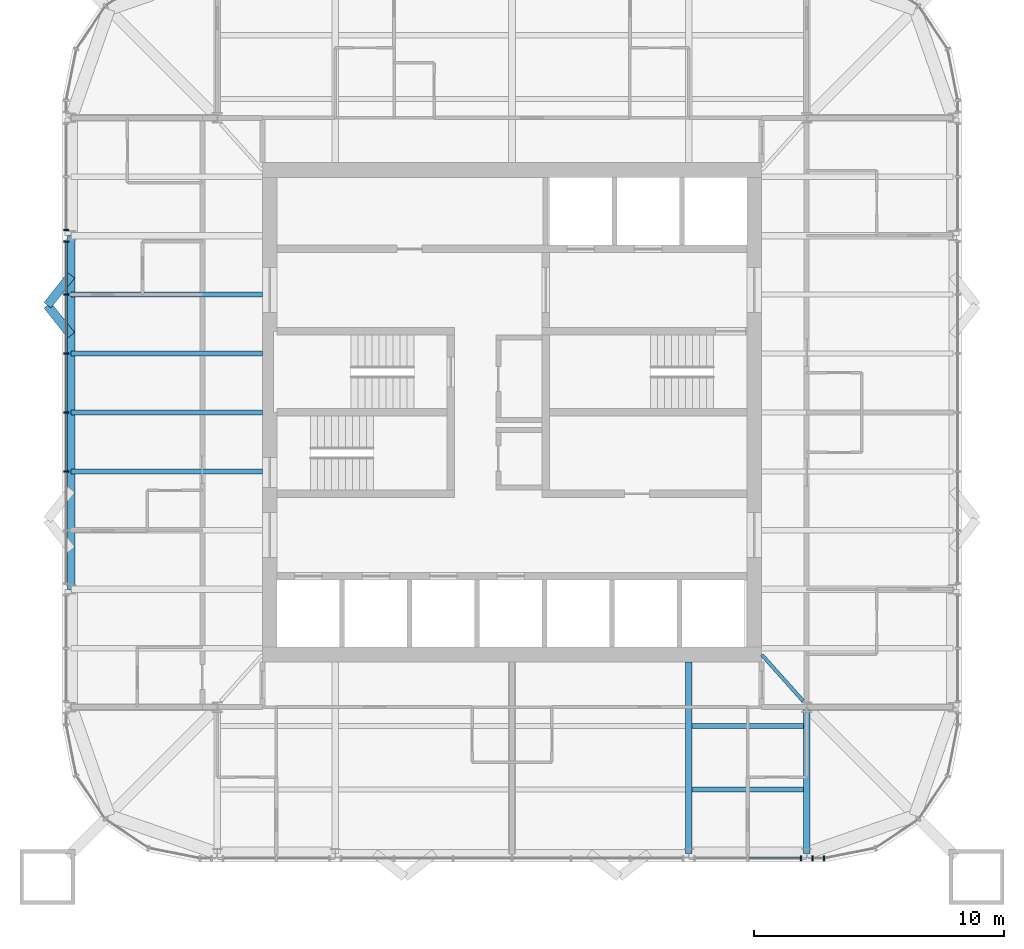
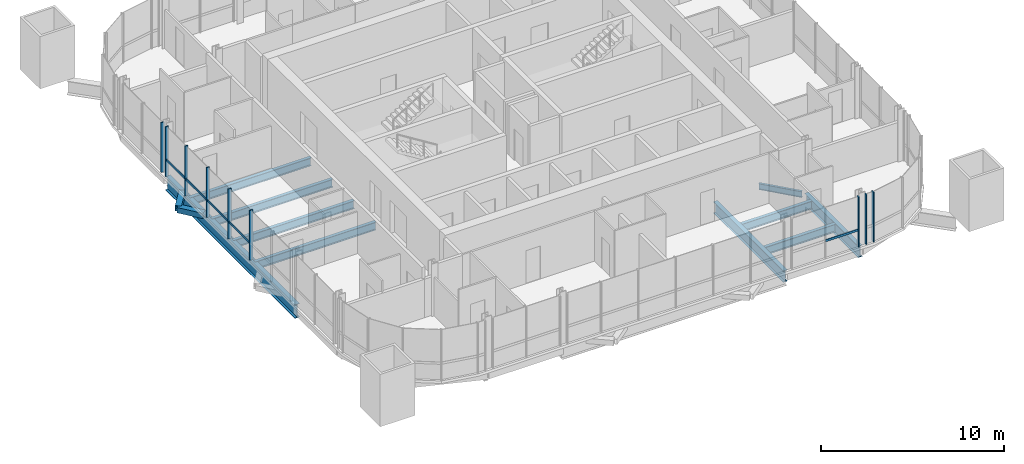
# One storey, part 3 of 17: 14 members, 12 beams, 4 elements without a shape of their own.
"""IFC4 building model written with IfcOpenShell, lengths in metres."""

from ifc_helpers import new_model, si_unit, direction, frame, origin, origin_2d, place, context, subcontext, project, spatial, rectangle, hollow_rectangle, i_section, extrude, material, material_profile, profile_set, type_object, element, aggregate, save


model = new_model("IFC4")

# Units and contexts
model_context = context("Model", 3, precision=1e-05, world=origin(), true_north=direction((0.0, 1.0)))
body_context = subcontext(model_context, "Body", "Model", "MODEL_VIEW")
ifc_project = project(units=[si_unit("LENGTHUNIT", "METRE"), si_unit("AREAUNIT", "SQUARE_METRE"), si_unit("VOLUMEUNIT", "CUBIC_METRE"), si_unit("PLANEANGLEUNIT", "RADIAN"), si_unit("MASSUNIT", "GRAM", prefix="KILO")], contexts=[model_context])

# Site, building, storey
site_placement = place(None, origin())
site = spatial("IfcSite", under=ifc_project, at=site_placement, CompositionType="ELEMENT")
building_placement = place(site_placement, origin())
building = spatial("IfcBuilding", under=site, at=building_placement, Name="Turquesa Mirador Hotel Tower", CompositionType="ELEMENT")
storey_placement = place(building_placement, frame((0.0, 0.0, 244.199951171875)))
storey = spatial("IfcBuildingStorey", under=building, at=storey_placement, Name="L66", CompositionType="ELEMENT", Elevation=244.199951171875)

# Beams
ifc_material_1 = material(Name="Steel ASTM A992 Grade 50", Category="steel")
ifc_material_profile_1 = material_profile(ifc_material_1, i_section(OverallWidth=0.140380859375, OverallDepth=0.40380859375, WebThickness=0.007080078125, FlangeThickness=0.01123046875, at=origin_2d()), Name="W16X31")
ifc_profile_set_1 = profile_set([ifc_material_profile_1], Name="Steel ASTM A992 Grade 50")
beam_type_1 = type_object("IfcBeamType", Name="BEAM W16X31", PredefinedType="BEAM", material=ifc_profile_set_1)
beam_1_placement = place(storey_placement, frame((66.656494140625, 33.44873046875, -0.371826171875), z_axis=(-0.666806350186, 0.745231032198, 0.0), x_axis=(-0.745231032198, -0.666806350186, 0.0)))
element("IfcBeam", 1, at=beam_1_placement, inside=storey, type_object=beam_type_1, Name="KT-L66-4", PredefinedType="BEAM", context=body_context, shape_type="SweptSolid", body=[
    extrude(i_section(OverallWidth=0.140380859375, OverallDepth=0.40380859375, WebThickness=0.007080078125, FlangeThickness=0.01123046875, at=origin_2d()), origin(), (0.0, 0.0, 1.0), 2.484130859375),
])
ifc_material_2 = material(Name="Steel ASTM A992 Grade 50", Category="steel")
ifc_material_profile_2 = material_profile(ifc_material_2, i_section(OverallWidth=0.209228515625, OverallDepth=0.533447265625, WebThickness=0.01025390625, FlangeThickness=0.015625, at=origin_2d()), Name="W21X62")
ifc_profile_set_2 = profile_set([ifc_material_profile_2], Name="Steel ASTM A992 Grade 50")
beam_type_2 = type_object("IfcBeamType", Name="BEAM W21X62", PredefinedType="BEAM", material=ifc_profile_set_2)
for number, where, z_axis, x_axis, name in (
    (2, (62.21337890625, 32.449951171875, -0.436767578125), (1.0, 0.0, 0.0), (0.0, 1.0, 0.0), "IB-L66-S-1-3"),
    (3, (62.21337890625, 29.89990234375, -0.436767578125), (1.0, 0.0, 0.0), (0.0, 1.0, 0.0), "IB-L66-S-2-3"),
):
    element("IfcBeam", number, at=place(storey_placement, frame(where, z_axis=z_axis, x_axis=x_axis)), inside=storey, type_object=beam_type_2, Name=name, PredefinedType="BEAM", context=body_context, shape_type="SweptSolid", body=[
        extrude(i_section(OverallWidth=0.209228515625, OverallDepth=0.533447265625, WebThickness=0.01025390625, FlangeThickness=0.015625, at=origin_2d()), origin(), (0.0, 0.0, 1.0), 4.453369140625),
    ])
for number, where, z_axis, x_axis, name in (
    (4, (37.35009765625, 42.639892578125, -0.436767578125), (1.0, 0.0, 0.0), (0.0, 1.0, 0.0), "BM-L66-W--2.36"),
    (5, (37.35009765625, 45.0, -0.436767578125), (1.0, 0.0, 0.0), (0.0, 1.0, 0.0), "BM-L66-W-+0.00"),
    (6, (37.35009765625, 47.360107421875, -0.436767578125), (1.0, 0.0, 0.0), (0.0, 1.0, 0.0), "BM-L66-W-+2.36"),
    (7, (37.35009765625, 49.719970703125, -0.436767578125), (1.0, 0.0, 0.0), (0.0, 1.0, 0.0), "BM-L66-W-+4.72"),
):
    element("IfcBeam", number, at=place(storey_placement, frame(where, z_axis=z_axis, x_axis=x_axis)), inside=storey, type_object=beam_type_2, Name=name, PredefinedType="BEAM", context=body_context, shape_type="SweptSolid", body=[
        extrude(i_section(OverallWidth=0.209228515625, OverallDepth=0.533447265625, WebThickness=0.01025390625, FlangeThickness=0.015625, at=origin_2d()), origin(), (0.0, 0.0, 1.0), 7.64990234375),
    ])
ifc_material_3 = material(Name="Steel ASTM A992 Grade 50", Category="steel")
ifc_material_profile_3 = material_profile(ifc_material_3, i_section(OverallWidth=0.2666015625, OverallDepth=0.7568359375, WebThickness=0.013916015625, FlangeThickness=0.019287109375, at=origin_2d()), Name="W30X108")
ifc_profile_set_3 = profile_set([ifc_material_profile_3], Name="Steel ASTM A992 Grade 50")
beam_type_3 = type_object("IfcBeamType", Name="BEAM W30X108", PredefinedType="BEAM", material=ifc_profile_set_3)
beam_2_placement = place(storey_placement, frame((62.080078125, 27.35009765625, -0.54833984375), z_axis=(0.0, 1.0, 0.0), x_axis=(-1.0, 0.0, 0.0)))
element("IfcBeam", 8, at=beam_2_placement, inside=storey, type_object=beam_type_3, Name="GD-L66-S-+7.08", PredefinedType="BEAM", context=body_context, shape_type="SweptSolid", body=[
    extrude(i_section(OverallWidth=0.2666015625, OverallDepth=0.7568359375, WebThickness=0.013916015625, FlangeThickness=0.019287109375, at=origin_2d()), origin(), (0.0, 0.0, 1.0), 7.64990234375),
])
beam_3_placement = place(storey_placement, frame((66.800048828125, 27.35009765625, -0.54833984375), z_axis=(0.0, 1.0, 0.0), x_axis=(-1.0, 0.0, 0.0)))
element("IfcBeam", 9, at=beam_3_placement, inside=storey, type_object=beam_type_3, Name="GK-L66-S-+11.80", PredefinedType="BEAM", context=body_context, shape_type="SweptSolid", body=[
    extrude(i_section(OverallWidth=0.2666015625, OverallDepth=0.7568359375, WebThickness=0.013916015625, FlangeThickness=0.019287109375, at=origin_2d()), origin(), (0.0, 0.0, 1.0), 5.849853515625),
])
ifc_material_4 = material(Name="Steel ASTM A992 Grade 50", Category="steel")
ifc_material_profile_4 = material_profile(ifc_material_4, i_section(OverallWidth=0.3046875, OverallDepth=0.911865234375, WebThickness=0.015869140625, FlangeThickness=0.02392578125, at=origin_2d()), Name="W36X150")
ifc_profile_set_4 = profile_set([ifc_material_profile_4], Name="Steel ASTM A992 Grade 50")
beam_type_4 = type_object("IfcBeamType", Name="BEAM W36X150", PredefinedType="BEAM", material=ifc_profile_set_4)
beam_4_placement = place(storey_placement, frame((37.35009765625, 37.919921875, -0.6259765625), z_axis=(0.0, 1.0, 0.0), x_axis=(-1.0, 0.0, 0.0)))
element("IfcBeam", 10, at=beam_4_placement, inside=storey, type_object=beam_type_4, Name="EB-L66-W-C", PredefinedType="BEAM", context=body_context, shape_type="SweptSolid", body=[
    extrude(i_section(OverallWidth=0.3046875, OverallDepth=0.911865234375, WebThickness=0.015869140625, FlangeThickness=0.02392578125, at=origin_2d()), origin(), (0.0, 0.0, 1.0), 14.16015625),
])
ifc_material_5 = material(Name="Steel ASTM A500 Grade C", Category="steel")
ifc_material_profile_5 = material_profile(ifc_material_5, hollow_rectangle(XDim=0.355712890625, YDim=0.355712890625, WallThickness=0.0146484375, at=origin_2d()), Name="HSS14X14X5/8")
ifc_profile_set_5 = profile_set([ifc_material_profile_5], Name="Steel ASTM A500 Grade C")
beam_type_5 = type_object("IfcBeamType", Name="BRACE STRUT HSS14X14X5/8", PredefinedType="BEAM", material=ifc_profile_set_5)
for number, where, z_axis, x_axis, name in (
    (11, (36.39990234375, 49.292236328125, -0.34765625), (0.620796907089, -0.783971428146, 0.0), (0.783971428146, 0.620796907089, 0.0), "Brace strut"),
    (12, (36.39990234375, 49.292236328125, -0.34765625), (0.620796907089, 0.783971428146, 0.0), (-0.783971428146, 0.620796907089, 0.0), "Brace strut"),
):
    element("IfcBeam", number, at=place(storey_placement, frame(where, z_axis=z_axis, x_axis=x_axis)), inside=storey, type_object=beam_type_5, Name=name, PredefinedType="BEAM", context=body_context, shape_type="SweptSolid", body=[
        extrude(hollow_rectangle(XDim=0.355712890625, YDim=0.355712890625, WallThickness=0.0146484375, at=origin_2d()), origin(), (0.0, 0.0, 1.0), 1.530517578125),
    ])

# Curtain wall, member
ifc_material_6 = material(Name="Aluminium extrusion", Category="aluminium")
curtain_wall_type = type_object("IfcCurtainWallType", Name="CW-4 SUITE FRITTED CURTAIN WALL", PredefinedType="USERDEFINED", material=ifc_material_6)
curtain_wall_1_placement = place(storey_placement, origin())
curtain_wall_1 = element("IfcCurtainWall", 13, at=curtain_wall_1_placement, inside=storey, type_object=curtain_wall_type, Name="CW-4 SUITE FRITTED CURTAIN WALL L66", ObjectType="CURTAIN WALL", PredefinedType="USERDEFINED")
ifc_material_7 = material(Name="Aluminium extrusion", Category="aluminium")
ifc_material_profile_6 = material_profile(ifc_material_7, rectangle(XDim=0.06494140625, YDim=0.199951171875, at=origin_2d()), Name="MULLION 65X200")
ifc_profile_set_6 = profile_set([ifc_material_profile_6], Name="Aluminium extrusion")
member_type_1 = type_object("IfcMemberType", Name="CW MULLION 65X200", PredefinedType="MULLION", material=ifc_profile_set_6)
member_1_placement = place(storey_placement, frame((37.14990234375, 52.31396484375, 0.0), z_axis=(0.0, 0.0, 1.0), x_axis=(0.0, -1.0, 0.0)))
member_1 = element("IfcMember", 14, at=member_1_placement, type_object=member_type_1, Name="Mullion", PredefinedType="MULLION", context=body_context, shape_type="SweptSolid", body=[
    extrude(rectangle(XDim=0.06494140625, YDim=0.199951171875, at=origin_2d()), origin(), (0.0, 0.0, 1.0), 3.330078125),
])
aggregate(curtain_wall_1, [member_1])

# Curtain wall, members
curtain_wall_2_placement = place(storey_placement, origin())
curtain_wall_2 = element("IfcCurtainWall", 15, at=curtain_wall_2_placement, inside=storey, type_object=curtain_wall_type, Name="CW-4 SUITE FRITTED CURTAIN WALL L66", ObjectType="CURTAIN WALL", PredefinedType="USERDEFINED")
member_2_placement = place(storey_placement, frame((37.14990234375, 51.84619140625, 0.0), z_axis=(0.0, 0.0, 1.0), x_axis=(0.0, -1.0, 0.0)))
member_2 = element("IfcMember", 16, at=member_2_placement, type_object=member_type_1, Name="Mullion", PredefinedType="MULLION", context=body_context, shape_type="SweptSolid", body=[
    extrude(rectangle(XDim=0.06494140625, YDim=0.199951171875, at=origin_2d()), origin(), (0.0, 0.0, 1.0), 3.330078125),
])
member_3_placement = place(storey_placement, frame((37.14990234375, 49.719970703125, 0.0), z_axis=(0.0, 0.0, 1.0), x_axis=(0.0, -1.0, 0.0)))
member_3 = element("IfcMember", 17, at=member_3_placement, type_object=member_type_1, Name="Mullion", PredefinedType="MULLION", context=body_context, shape_type="SweptSolid", body=[
    extrude(rectangle(XDim=0.06494140625, YDim=0.199951171875, at=origin_2d()), origin(), (0.0, 0.0, 1.0), 3.330078125),
])
member_4_placement = place(storey_placement, frame((37.14990234375, 47.360107421875, 0.0), z_axis=(0.0, 0.0, 1.0), x_axis=(0.0, -1.0, 0.0)))
member_4 = element("IfcMember", 18, at=member_4_placement, type_object=member_type_1, Name="Mullion", PredefinedType="MULLION", context=body_context, shape_type="SweptSolid", body=[
    extrude(rectangle(XDim=0.06494140625, YDim=0.199951171875, at=origin_2d()), origin(), (0.0, 0.0, 1.0), 3.330078125),
])
member_5_placement = place(storey_placement, frame((37.14990234375, 45.0, 0.0), z_axis=(0.0, 0.0, 1.0), x_axis=(0.0, -1.0, 0.0)))
member_5 = element("IfcMember", 19, at=member_5_placement, type_object=member_type_1, Name="Mullion", PredefinedType="MULLION", context=body_context, shape_type="SweptSolid", body=[
    extrude(rectangle(XDim=0.06494140625, YDim=0.199951171875, at=origin_2d()), origin(), (0.0, 0.0, 1.0), 3.330078125),
])
member_6_placement = place(storey_placement, frame((37.14990234375, 42.639892578125, 0.0), z_axis=(0.0, 0.0, 1.0), x_axis=(0.0, -1.0, 0.0)))
member_6 = element("IfcMember", 20, at=member_6_placement, type_object=member_type_1, Name="Mullion", PredefinedType="MULLION", context=body_context, shape_type="SweptSolid", body=[
    extrude(rectangle(XDim=0.06494140625, YDim=0.199951171875, at=origin_2d()), origin(), (0.0, 0.0, 1.0), 3.330078125),
])

# Curtain wall, member
curtain_wall_3_placement = place(storey_placement, origin())
curtain_wall_3 = element("IfcCurtainWall", 21, at=curtain_wall_3_placement, inside=storey, type_object=curtain_wall_type, Name="CW-4 SUITE FRITTED CURTAIN WALL L66", ObjectType="CURTAIN WALL", PredefinedType="USERDEFINED")
member_7_placement = place(storey_placement, frame((66.566162109375, 27.14990234375, 0.0), z_axis=(0.0, 0.0, 1.0), x_axis=(1.0, 0.0, 0.0)))
member_7 = element("IfcMember", 22, at=member_7_placement, type_object=member_type_1, Name="Mullion", PredefinedType="MULLION", context=body_context, shape_type="SweptSolid", body=[
    extrude(rectangle(XDim=0.06494140625, YDim=0.199951171875, at=origin_2d()), origin(), (0.0, 0.0, 1.0), 3.330078125),
])

# Curtain wall, members
curtain_wall_4_placement = place(storey_placement, origin())
curtain_wall_4 = element("IfcCurtainWall", 23, at=curtain_wall_4_placement, inside=storey, type_object=curtain_wall_type, Name="CW-4 SUITE FRITTED CURTAIN WALL L66", ObjectType="CURTAIN WALL", PredefinedType="USERDEFINED")
member_8_placement = place(storey_placement, frame((67.033935546875, 27.14990234375, 0.0), z_axis=(0.0, 0.0, 1.0), x_axis=(1.0, 0.0, 0.0)))
member_8 = element("IfcMember", 24, at=member_8_placement, type_object=member_type_1, Name="Mullion", PredefinedType="MULLION", context=body_context, shape_type="SweptSolid", body=[
    extrude(rectangle(XDim=0.06494140625, YDim=0.199951171875, at=origin_2d()), origin(), (0.0, 0.0, 1.0), 3.330078125),
])
member_9_placement = place(storey_placement, frame((67.5, 27.14990234375, 0.0), z_axis=(0.0, 0.0, 1.0), x_axis=(1.0, 0.0, 0.0)))
member_9 = element("IfcMember", 25, at=member_9_placement, type_object=member_type_1, Name="Mullion", PredefinedType="MULLION", context=body_context, shape_type="SweptSolid", body=[
    extrude(rectangle(XDim=0.06494140625, YDim=0.199951171875, at=origin_2d()), origin(), (0.0, 0.0, 1.0), 3.330078125),
])
aggregate(curtain_wall_4, [member_8, member_9])

# Member
ifc_material_8 = material(Name="Aluminium extrusion", Category="aluminium")
ifc_material_profile_7 = material_profile(ifc_material_8, rectangle(XDim=0.06494140625, YDim=0.14990234375, at=origin_2d()), Name="TRANSOM 65X150")
ifc_profile_set_7 = profile_set([ifc_material_profile_7], Name="Aluminium extrusion")
member_type_2 = type_object("IfcMemberType", Name="CW TRANSOM 65X150", PredefinedType="USERDEFINED", material=ifc_profile_set_7)
member_10_placement = place(storey_placement, frame((37.14990234375, 51.813720703125, 1.10009765625), z_axis=(0.0, -1.0, 0.0), x_axis=(1.0, 0.0, 0.0)))
member_10 = element("IfcMember", 26, at=member_10_placement, type_object=member_type_2, Name="Transom", ObjectType="TRANSOM", PredefinedType="USERDEFINED", context=body_context, shape_type="SweptSolid", body=[
    extrude(rectangle(XDim=0.06494140625, YDim=0.14990234375, at=origin_2d()), origin(), (0.0, 0.0, 1.0), 2.061279296875),
])

member_11_placement = place(storey_placement, frame((37.14990234375, 49.6875, 1.10009765625), z_axis=(0.0, -1.0, 0.0), x_axis=(1.0, 0.0, 0.0)))
member_11 = element("IfcMember", 27, at=member_11_placement, type_object=member_type_2, Name="Transom", ObjectType="TRANSOM", PredefinedType="USERDEFINED", context=body_context, shape_type="SweptSolid", body=[
    extrude(rectangle(XDim=0.06494140625, YDim=0.14990234375, at=origin_2d()), origin(), (0.0, 0.0, 1.0), 2.294921875),
])

member_12_placement = place(storey_placement, frame((37.14990234375, 47.327392578125, 1.10009765625), z_axis=(0.0, -1.0, 0.0), x_axis=(1.0, 0.0, 0.0)))
member_12 = element("IfcMember", 28, at=member_12_placement, type_object=member_type_2, Name="Transom", ObjectType="TRANSOM", PredefinedType="USERDEFINED", context=body_context, shape_type="SweptSolid", body=[
    extrude(rectangle(XDim=0.06494140625, YDim=0.14990234375, at=origin_2d()), origin(), (0.0, 0.0, 1.0), 2.294921875),
])

member_13_placement = place(storey_placement, frame((37.14990234375, 44.967529296875, 1.10009765625), z_axis=(0.0, -1.0, 0.0), x_axis=(1.0, 0.0, 0.0)))
member_13 = element("IfcMember", 29, at=member_13_placement, type_object=member_type_2, Name="Transom", ObjectType="TRANSOM", PredefinedType="USERDEFINED", context=body_context, shape_type="SweptSolid", body=[
    extrude(rectangle(XDim=0.06494140625, YDim=0.14990234375, at=origin_2d()), origin(), (0.0, 0.0, 1.0), 2.294921875),
])

aggregate(curtain_wall_2, [member_2, member_3, member_4, member_5, member_6, member_10, member_11, member_12, member_13])

member_14_placement = place(storey_placement, frame((64.472412109375, 27.14990234375, 1.10009765625), z_axis=(1.0, 0.0, 0.0), x_axis=(0.0, 1.0, 0.0)))
member_14 = element("IfcMember", 30, at=member_14_placement, type_object=member_type_2, Name="Transom", ObjectType="TRANSOM", PredefinedType="USERDEFINED", context=body_context, shape_type="SweptSolid", body=[
    extrude(rectangle(XDim=0.06494140625, YDim=0.14990234375, at=origin_2d()), origin(), (0.0, 0.0, 1.0), 2.061279296875),
])

aggregate(curtain_wall_3, [member_7, member_14])

save(model, "model.ifc")
